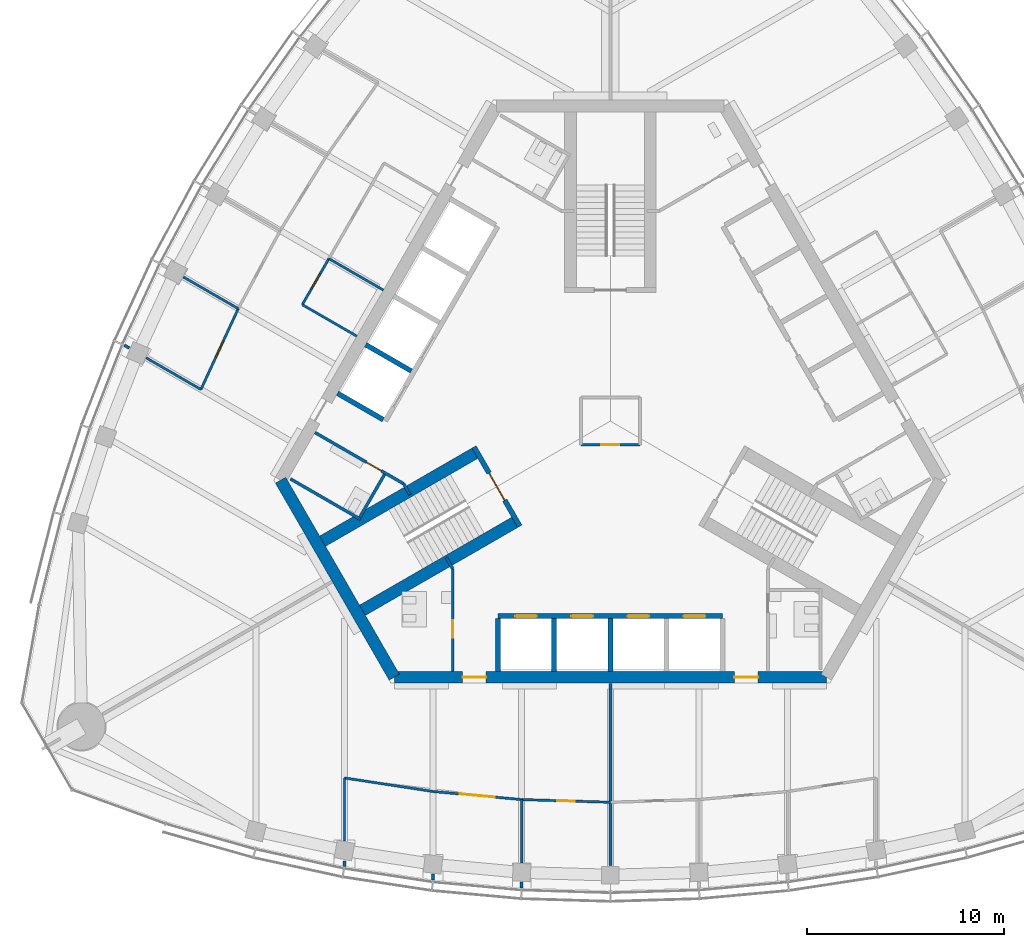
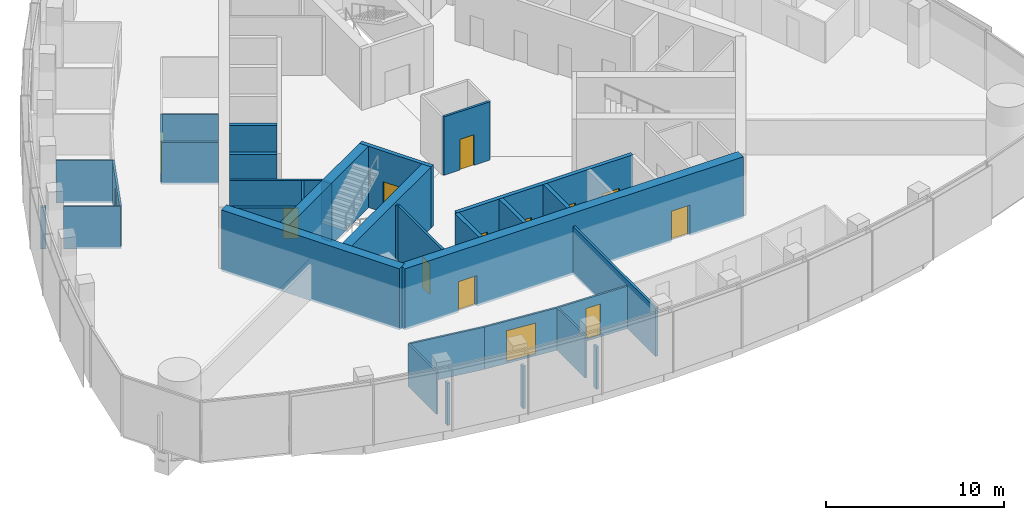
# One storey, part 8 of 16: 34 walls, 14 doors, 14 openings.
"""IFC4 building model written with IfcOpenShell, lengths in metres."""

from ifc_helpers import new_model, si_unit, direction, frame, frame_2d, origin, place, context, subcontext, project, spatial, rectangle, extrude, material, layer, layer_set, type_object, element, fill, save


model = new_model("IFC4")

# Units and contexts
model_context = context("Model", 3, precision=1e-05, world=origin(), true_north=direction((0.0, 1.0)))
body_context = subcontext(model_context, "Body", "Model", "MODEL_VIEW")
ifc_project = project(units=[si_unit("LENGTHUNIT", "METRE"), si_unit("AREAUNIT", "SQUARE_METRE"), si_unit("VOLUMEUNIT", "CUBIC_METRE"), si_unit("PLANEANGLEUNIT", "RADIAN"), si_unit("MASSUNIT", "GRAM", prefix="KILO")], contexts=[model_context])

# Site, building, storey
site_placement = place(None, origin())
site = spatial("IfcSite", under=ifc_project, at=site_placement, CompositionType="ELEMENT")
building_placement = place(site_placement, origin())
building = spatial("IfcBuilding", under=site, at=building_placement, Name="Trefoil Bronze Tower", CompositionType="ELEMENT")
storey_placement = place(building_placement, frame((0.0, 0.0, 305.699951171875)))
storey = spatial("IfcBuildingStorey", under=building, at=storey_placement, Name="L70", CompositionType="ELEMENT", Elevation=305.699951171875)

# Wall, openings, doors
ifc_material_1 = material(Name="Concrete B80", Category="concrete")
ifc_layer_1 = layer(ifc_material_1, 0.60009765625)
ifc_layer_set_1 = layer_set([ifc_layer_1], Name="Core wall 600")
wall_type_1 = type_object("IfcWallType", Name="Core wall 600", PredefinedType="SHEAR", material=ifc_layer_set_1)
wall_1_placement = place(storey_placement, frame((-10.9697265625, -13.0, 0.0), z_axis=(0.0, 0.0, 1.0), x_axis=(1.0, 0.0, 0.0)))
wall_1 = element("IfcWall", 1, at=wall_1_placement, inside=storey, type_object=wall_type_1, Name="Core long wall 1 L70", PredefinedType="SHEAR", context=body_context, shape_type="SweptSolid", body=[
    extrude(rectangle(XDim=21.939453125, YDim=0.60009765625, at=frame_2d((10.9697265625, 0.0))), origin(), (0.0, 0.0, 1.0), 4.199951171875),
])
opening_1_placement = place(wall_1_placement, frame((17.269775390625, 0.0, 0.0)))
opening_1 = element("IfcOpeningElement", 2, at=opening_1_placement, cuts=wall_1, Name="Opening D2", PredefinedType="OPENING", context=body_context, shape_type="SweptSolid", body=[
    extrude(rectangle(XDim=1.199951171875, YDim=2.10009765625, at=frame_2d((0.60009765625, 1.050048828125))), frame((0.0, 0.31005859375, 0.0), z_axis=(0.0, -1.0, 0.0), x_axis=(1.0, 0.0, 0.0)), (0.0, 0.0, 1.0), 0.6201171875),
])
opening_2_placement = place(wall_1_placement, frame((3.4697265625, 0.0, 0.0)))
opening_2 = element("IfcOpeningElement", 3, at=opening_2_placement, cuts=wall_1, Name="Opening D2", PredefinedType="OPENING", context=body_context, shape_type="SweptSolid", body=[
    extrude(rectangle(XDim=1.199951171875, YDim=2.10009765625, at=frame_2d((0.60009765625, 1.050048828125))), frame((0.0, 0.31005859375, 0.0), z_axis=(0.0, -1.0, 0.0), x_axis=(1.0, 0.0, 0.0)), (0.0, 0.0, 1.0), 0.6201171875),
])
ifc_material_2 = material(Name="Steel door", Category="steel")
door_type_1 = type_object("IfcDoorType", Name="Lobby door 1200", OperationType="SINGLE_SWING_RIGHT", PredefinedType="DOOR", material=ifc_material_2)
door_1_placement = place(opening_1_placement, origin())
door_1 = element("IfcDoor", 4, at=door_1_placement, inside=storey, type_object=door_type_1, Name="Lobby door F1+ L70", OperationType="SINGLE_SWING_RIGHT", OverallHeight=2.10009765625, OverallWidth=1.199951171875, PredefinedType="DOOR", context=body_context, shape_type="SweptSolid", body=[
    extrude(rectangle(XDim=1.199951171875, YDim=2.10009765625, at=frame_2d((0.60009765625, 1.050048828125))), frame((0.0, 0.02490234375, 0.0), z_axis=(0.0, -1.0, 0.0), x_axis=(1.0, 0.0, 0.0)), (0.0, 0.0, 1.0), 0.050048828125),
])
fill(opening_1, door_1)
door_2_placement = place(opening_2_placement, origin())
door_2 = element("IfcDoor", 5, at=door_2_placement, inside=storey, type_object=door_type_1, Name="Lobby door F1- L70", OperationType="SINGLE_SWING_LEFT", OverallHeight=2.10009765625, OverallWidth=1.199951171875, PredefinedType="DOOR", context=body_context, shape_type="SweptSolid", body=[
    extrude(rectangle(XDim=1.199951171875, YDim=2.10009765625, at=frame_2d((0.60009765625, 1.050048828125))), frame((0.0, 0.02490234375, 0.0), z_axis=(0.0, -1.0, 0.0), x_axis=(1.0, 0.0, 0.0)), (0.0, 0.0, 1.0), 0.050048828125),
])
fill(opening_2, door_2)

# Walls
wall_2_placement = place(storey_placement, frame((-16.7431640625, -3.0, 0.0), z_axis=(0.0, 0.0, 1.0), x_axis=(0.499995765644, -0.866027848477, 0.0)))
element("IfcWall", 6, at=wall_2_placement, inside=storey, type_object=wall_type_1, Name="Core short wall 3 L70", PredefinedType="SHEAR", context=body_context, shape_type="SweptSolid", body=[
    extrude(rectangle(XDim=11.546875, YDim=0.60009765625, at=frame_2d((5.7734375, 0.0))), origin(), (0.0, 0.0, 1.0), 4.199951171875),
])
ifc_material_3 = material(Name="Glazed partition", Category="glass")
ifc_layer_2 = layer(ifc_material_3, 0.1201171875)
ifc_layer_set_2 = layer_set([ifc_layer_2], Name="Glazed partition 120")
wall_type_2 = type_object("IfcWallType", Name="Glazed partition 120", PredefinedType="PARTITIONING", material=ifc_layer_set_2)
wall_3_placement = place(storey_placement, frame((-13.5, -18.1162109375, 0.0), z_axis=(0.0, 0.0, 1.0), x_axis=(0.988481794406, -0.151339823341, 0.0)))
element("IfcWall", 7, at=wall_3_placement, inside=storey, type_object=wall_type_2, Name="Partition F1 L70", PredefinedType="PARTITIONING", context=body_context, shape_type="SweptSolid", body=[
    extrude(rectangle(XDim=4.552490234375, YDim=0.1201171875, at=frame_2d((2.2763671875, 0.0))), origin(), (0.0, 0.0, 1.0), 2.900146484375),
])

# Wall, opening, door
wall_4_placement = place(storey_placement, frame((-4.5, -19.21533203125, 0.0), z_axis=(0.0, 0.0, 1.0), x_axis=(0.999542074227, -0.030259574513, 0.0)))
wall_4 = element("IfcWall", 8, at=wall_4_placement, inside=storey, type_object=wall_type_2, Name="Partition F1 L70", PredefinedType="PARTITIONING", context=body_context, shape_type="SweptSolid", body=[
    extrude(rectangle(XDim=4.501953125, YDim=0.1201171875, at=frame_2d((2.2509765625, 0.0))), origin(), (0.0, 0.0, 1.0), 2.900146484375),
])
opening_3_placement = place(wall_4_placement, frame((1.800048828125, 0.0, 0.14990234375)))
opening_3 = element("IfcOpeningElement", 9, at=opening_3_placement, cuts=wall_4, Name="Opening D8", PredefinedType="OPENING", context=body_context, shape_type="SweptSolid", body=[
    extrude(rectangle(XDim=0.89990234375, YDim=2.10009765625, at=frame_2d((0.449951171875, 1.050048828125))), frame((0.0, 0.070068359375, 0.0), z_axis=(0.0, -1.0, 0.0), x_axis=(1.0, 0.0, 0.0)), (0.0, 0.0, 1.0), 0.14013671875),
])
ifc_material_4 = material(Name="Timber door", Category="wood")
door_type_2 = type_object("IfcDoorType", Name="Office door 900", OperationType="SINGLE_SWING_LEFT", PredefinedType="DOOR", material=ifc_material_4)
door_3_placement = place(opening_3_placement, frame((0.89990234375, 0.0, 0.0), z_axis=(0.0, 0.0, 1.0), x_axis=(-1.0, 0.0, 0.0)))
door_3 = element("IfcDoor", 10, at=door_3_placement, inside=storey, type_object=door_type_2, Name="Office door F1 L70", OperationType="SINGLE_SWING_RIGHT", OverallHeight=2.10009765625, OverallWidth=0.89990234375, PredefinedType="DOOR", context=body_context, shape_type="SweptSolid", body=[
    extrude(rectangle(XDim=0.89990234375, YDim=2.10009765625, at=frame_2d((0.449951171875, 1.050048828125))), frame((0.0, 0.02490234375, 0.0), z_axis=(0.0, -1.0, 0.0), x_axis=(1.0, 0.0, 0.0)), (0.0, 0.0, 1.0), 0.050048828125),
])
fill(opening_3, door_3)

wall_5_placement = place(storey_placement, frame((-9.0, -18.80517578125, 0.0), z_axis=(0.0, 0.0, 1.0), x_axis=(0.995871921504, -0.090769576179, 0.0)))
wall_5 = element("IfcWall", 11, at=wall_5_placement, inside=storey, type_object=wall_type_2, Name="Partition F1 L70", PredefinedType="PARTITIONING", context=body_context, shape_type="SweptSolid", body=[
    extrude(rectangle(XDim=4.5185546875, YDim=0.1201171875, at=frame_2d((2.25927734375, 0.0))), origin(), (0.0, 0.0, 1.0), 2.900146484375),
])
opening_4_placement = place(wall_5_placement, frame((1.35009765625, 0.0, 0.14990234375)))
opening_4 = element("IfcOpeningElement", 12, at=opening_4_placement, cuts=wall_5, Name="Opening D10", PredefinedType="OPENING", context=body_context, shape_type="SweptSolid", body=[
    extrude(rectangle(XDim=1.800048828125, YDim=2.10009765625, at=frame_2d((0.89990234375, 1.050048828125))), frame((0.0, 0.070068359375, 0.0), z_axis=(0.0, -1.0, 0.0), x_axis=(1.0, 0.0, 0.0)), (0.0, 0.0, 1.0), 0.14013671875),
])
ifc_material_5 = material(Name="Timber door", Category="wood")
door_type_3 = type_object("IfcDoorType", Name="Double door 1800", OperationType="DOUBLE_DOOR_SINGLE_SWING", PredefinedType="DOOR", material=ifc_material_5)
door_4_placement = place(opening_4_placement, frame((1.800048828125, 0.0, 0.0), z_axis=(0.0, 0.0, 1.0), x_axis=(-1.0, 0.0, 0.0)))
door_4 = element("IfcDoor", 13, at=door_4_placement, inside=storey, type_object=door_type_3, Name="Kitchen and breakout door F1 L70", OperationType="DOUBLE_DOOR_SINGLE_SWING", OverallHeight=2.10009765625, OverallWidth=1.800048828125, PredefinedType="DOOR", context=body_context, shape_type="SweptSolid", body=[
    extrude(rectangle(XDim=1.800048828125, YDim=2.10009765625, at=frame_2d((0.89990234375, 1.050048828125))), frame((0.0, 0.02490234375, 0.0), z_axis=(0.0, -1.0, 0.0), x_axis=(1.0, 0.0, 0.0)), (0.0, 0.0, 1.0), 0.050048828125),
])
fill(opening_4, door_4)

# Walls
wall_6_placement = place(storey_placement, frame((-13.5, -18.1162109375, 0.0), z_axis=(0.0, 0.0, 1.0), x_axis=(0.0, -1.0, 0.0)))
element("IfcWall", 14, at=wall_6_placement, inside=storey, type_object=wall_type_2, Name="Partition F1 L70", PredefinedType="PARTITIONING", context=body_context, shape_type="SweptSolid", body=[
    extrude(rectangle(XDim=3.198486328125, YDim=0.1201171875, at=frame_2d((1.59912109375, 0.0))), origin(), (0.0, 0.0, 1.0), 2.900146484375),
])
wall_7_placement = place(storey_placement, frame((-4.5, -19.21533203125, 0.0), z_axis=(0.0, 0.0, 1.0), x_axis=(0.0, -1.0, 0.0)))
element("IfcWall", 15, at=wall_7_placement, inside=storey, type_object=wall_type_2, Name="Partition F1 L70", PredefinedType="PARTITIONING", context=body_context, shape_type="SweptSolid", body=[
    extrude(rectangle(XDim=3.2177734375, YDim=0.1201171875, at=frame_2d((1.60888671875, 0.0))), origin(), (0.0, 0.0, 1.0), 2.900146484375),
])

# Wall, opening, door
wall_8_placement = place(storey_placement, frame((-14.289306640625, 8.25, 0.0), z_axis=(0.0, 0.0, 1.0), x_axis=(-0.50000943426, -0.866019956843, 0.0)))
wall_8 = element("IfcWall", 16, at=wall_8_placement, inside=storey, type_object=wall_type_2, Name="Partition F3 L70", PredefinedType="PARTITIONING", context=body_context, shape_type="SweptSolid", body=[
    extrude(rectangle(XDim=2.7001953125, YDim=0.1201171875, at=frame_2d((1.35009765625, 0.0))), origin(), (0.0, 0.0, 1.0), 2.900146484375),
])
opening_5_placement = place(wall_8_placement, frame((0.89990234375, 0.0, 0.14990234375)))
opening_5 = element("IfcOpeningElement", 17, at=opening_5_placement, cuts=wall_8, Name="Opening D8", PredefinedType="OPENING", context=body_context, shape_type="SweptSolid", body=[
    extrude(rectangle(XDim=0.89990234375, YDim=2.10009765625, at=frame_2d((0.449951171875, 1.050048828125))), frame((0.0, 0.070068359375, 0.0), z_axis=(0.0, -1.0, 0.0), x_axis=(1.0, 0.0, 0.0)), (0.0, 0.0, 1.0), 0.14013671875),
])
door_5_placement = place(opening_5_placement, origin())
door_5 = element("IfcDoor", 18, at=door_5_placement, inside=storey, type_object=door_type_2, Name="Pantry door F3 L70", OperationType="SINGLE_SWING_RIGHT", OverallHeight=2.10009765625, OverallWidth=0.89990234375, PredefinedType="DOOR", context=body_context, shape_type="SweptSolid", body=[
    extrude(rectangle(XDim=0.89990234375, YDim=2.10009765625, at=frame_2d((0.449951171875, 1.050048828125))), frame((0.0, 0.02490234375, 0.0), z_axis=(0.0, -1.0, 0.0), x_axis=(1.0, 0.0, 0.0)), (0.0, 0.0, 1.0), 0.050048828125),
])
fill(opening_5, door_5)

# Walls
for number, where, z_axis, x_axis, name in (
    (19, (-12.8681640625, 4.311767578125, 0.0), (0.0, 0.0, 1.0), (-0.866042017984, 0.499971222258, 0.0), "Partition F3 L70"),
    (20, (-11.51806640625, 6.64990234375, 0.0), (0.0, 0.0, 1.0), (-0.866008981251, 0.500028443584, 0.0), "Partition F3 L70"),
):
    element("IfcWall", number, at=place(storey_placement, frame(where, z_axis=z_axis, x_axis=x_axis)), inside=storey, type_object=wall_type_2, Name=name, PredefinedType="PARTITIONING", context=body_context, shape_type="SweptSolid", body=[
        extrude(rectangle(XDim=3.199951171875, YDim=0.1201171875, at=frame_2d((1.60009765625, 0.0))), origin(), (0.0, 0.0, 1.0), 2.900146484375),
    ])

# Wall, opening, door
wall_9_placement = place(storey_placement, frame((-18.890869140625, 5.71044921875, 0.0), z_axis=(0.0, 0.0, 1.0), x_axis=(-0.419335693458, -0.907831248742, 0.0)))
wall_9 = element("IfcWall", 21, at=wall_9_placement, inside=storey, type_object=wall_type_2, Name="Partition F3 L70", PredefinedType="PARTITIONING", context=body_context, shape_type="SweptSolid", body=[
    extrude(rectangle(XDim=4.5185546875, YDim=0.1201171875, at=frame_2d((2.25927734375, 0.0))), origin(), (0.0, 0.0, 1.0), 2.900146484375),
])
opening_6_placement = place(wall_9_placement, frame((1.800048828125, 0.0, 0.14990234375)))
opening_6 = element("IfcOpeningElement", 22, at=opening_6_placement, cuts=wall_9, Name="Opening D8", PredefinedType="OPENING", context=body_context, shape_type="SweptSolid", body=[
    extrude(rectangle(XDim=0.89990234375, YDim=2.10009765625, at=frame_2d((0.449951171875, 1.050048828125))), frame((0.0, 0.070068359375, 0.0), z_axis=(0.0, -1.0, 0.0), x_axis=(1.0, 0.0, 0.0)), (0.0, 0.0, 1.0), 0.14013671875),
])
door_6_placement = place(opening_6_placement, frame((0.89990234375, 0.0, 0.0), z_axis=(0.0, 0.0, 1.0), x_axis=(-1.0, 0.0, 0.0)))
door_6 = element("IfcDoor", 23, at=door_6_placement, inside=storey, type_object=door_type_2, Name="Office door F3 L70", OperationType="SINGLE_SWING_RIGHT", OverallHeight=2.10009765625, OverallWidth=0.89990234375, PredefinedType="DOOR", context=body_context, shape_type="SweptSolid", body=[
    extrude(rectangle(XDim=0.89990234375, YDim=2.10009765625, at=frame_2d((0.449951171875, 1.050048828125))), frame((0.0, 0.02490234375, 0.0), z_axis=(0.0, -1.0, 0.0), x_axis=(1.0, 0.0, 0.0)), (0.0, 0.0, 1.0), 0.050048828125),
])
fill(opening_6, door_6)

# Walls
wall_10_placement = place(storey_placement, frame((-18.890869140625, 5.71044921875, 0.0), z_axis=(0.0, 0.0, 1.0), x_axis=(-0.866021328928, 0.500007057792, 0.0)))
element("IfcWall", 24, at=wall_10_placement, inside=storey, type_object=wall_type_2, Name="Partition F3 L70", PredefinedType="PARTITIONING", context=body_context, shape_type="SweptSolid", body=[
    extrude(rectangle(XDim=3.2177734375, YDim=0.1201171875, at=frame_2d((1.60888671875, 0.0))), origin(), (0.0, 0.0, 1.0), 2.900146484375),
])
wall_11_placement = place(storey_placement, frame((-20.78564453125, 1.6083984375, 0.0), z_axis=(0.0, 0.0, 1.0), x_axis=(-0.866039964284, 0.499974779627, 0.0)))
element("IfcWall", 25, at=wall_11_placement, inside=storey, type_object=wall_type_2, Name="Partition F3 L70", PredefinedType="PARTITIONING", context=body_context, shape_type="SweptSolid", body=[
    extrude(rectangle(XDim=3.210693359375, YDim=0.1201171875, at=frame_2d((1.60546875, 0.0))), origin(), (0.0, 0.0, 1.0), 2.900146484375),
])

# Wall, opening, door
ifc_material_6 = material(Name="Gypsum board on steel studs", Category="steel")
ifc_layer_3 = layer(ifc_material_6, 0.14990234375)
ifc_layer_set_3 = layer_set([ifc_layer_3], Name="Partition 150")
wall_type_3 = type_object("IfcWallType", Name="Partition 150", PredefinedType="PARTITIONING", material=ifc_layer_set_3)
wall_12_placement = place(storey_placement, frame((-8.0, -7.5, 0.0), z_axis=(0.0, 0.0, 1.0), x_axis=(0.0, -1.0, 0.0)))
wall_12 = element("IfcWall", 26, at=wall_12_placement, inside=storey, type_object=wall_type_3, Name="Passage wall F1- L70", PredefinedType="PARTITIONING", context=body_context, shape_type="SweptSolid", body=[
    extrude(rectangle(XDim=5.199951171875, YDim=0.14990234375, at=frame_2d((2.60009765625, 0.0))), origin(), (0.0, 0.0, 1.0), 4.0),
])
opening_7_placement = place(wall_12_placement, frame((2.60009765625, 0.0, 0.0)))
opening_7 = element("IfcOpeningElement", 27, at=opening_7_placement, cuts=wall_12, Name="Opening D3", PredefinedType="OPENING", context=body_context, shape_type="SweptSolid", body=[
    extrude(rectangle(XDim=0.89990234375, YDim=2.10009765625, at=frame_2d((0.449951171875, 1.050048828125))), frame((0.0, 0.0849609375, 0.0), z_axis=(0.0, -1.0, 0.0), x_axis=(1.0, 0.0, 0.0)), (0.0, 0.0, 1.0), 0.169921875),
])
ifc_material_7 = material(Name="Timber door", Category="wood")
door_type_4 = type_object("IfcDoorType", Name="WC door 900", OperationType="SINGLE_SWING_LEFT", PredefinedType="DOOR", material=ifc_material_7)
door_7_placement = place(opening_7_placement, frame((0.89990234375, 0.0, 0.0), z_axis=(0.0, 0.0, 1.0), x_axis=(-1.0, 0.0, 0.0)))
door_7 = element("IfcDoor", 28, at=door_7_placement, inside=storey, type_object=door_type_4, Name="WC (women) door L70", OperationType="SINGLE_SWING_LEFT", OverallHeight=2.10009765625, OverallWidth=0.89990234375, PredefinedType="DOOR", context=body_context, shape_type="SweptSolid", body=[
    extrude(rectangle(XDim=0.89990234375, YDim=2.10009765625, at=frame_2d((0.449951171875, 1.050048828125))), frame((0.0, 0.02490234375, 0.0), z_axis=(0.0, -1.0, 0.0), x_axis=(1.0, 0.0, 0.0)), (0.0, 0.0, 1.0), 0.050048828125),
])
fill(opening_7, door_7)

wall_13_placement = place(storey_placement, frame((-10.4951171875, -3.17822265625, 0.0), z_axis=(0.0, 0.0, 1.0), x_axis=(-0.866021400173, 0.500006934395, 0.0)))
wall_13 = element("IfcWall", 29, at=wall_13_placement, inside=storey, type_object=wall_type_3, Name="Passage wall F3+ L70", PredefinedType="PARTITIONING", context=body_context, shape_type="SweptSolid", body=[
    extrude(rectangle(XDim=5.2001953125, YDim=0.14990234375, at=frame_2d((2.60009765625, 0.0))), origin(), (0.0, 0.0, 1.0), 4.0),
])
opening_8_placement = place(wall_13_placement, frame((1.300048828125, 0.0, 0.0)))
opening_8 = element("IfcOpeningElement", 30, at=opening_8_placement, cuts=wall_13, Name="Opening D3", PredefinedType="OPENING", context=body_context, shape_type="SweptSolid", body=[
    extrude(rectangle(XDim=0.89990234375, YDim=2.10009765625, at=frame_2d((0.449951171875, 1.050048828125))), frame((0.0, 0.0849609375, 0.0), z_axis=(0.0, -1.0, 0.0), x_axis=(1.0, 0.0, 0.0)), (0.0, 0.0, 1.0), 0.169921875),
])
door_8_placement = place(opening_8_placement, origin())
door_8 = element("IfcDoor", 31, at=door_8_placement, inside=storey, type_object=door_type_4, Name="WC (men) door L70", OperationType="SINGLE_SWING_LEFT", OverallHeight=2.10009765625, OverallWidth=0.89990234375, PredefinedType="DOOR", context=body_context, shape_type="SweptSolid", body=[
    extrude(rectangle(XDim=0.89990234375, YDim=2.10009765625, at=frame_2d((0.449951171875, 1.050048828125))), frame((0.0, 0.02490234375, 0.0), z_axis=(0.0, -1.0, 0.0), x_axis=(1.0, 0.0, 0.0)), (0.0, 0.0, 1.0), 0.050048828125),
])
fill(opening_8, door_8)

# Walls
for number, where, z_axis, x_axis, name in (
    (32, (-10.4951171875, -3.17822265625, 0.0), (0.0, 0.0, 1.0), (0.499842556608, -0.866116284689, 0.0), "WC wall ST3-1 L70"),
    (33, (-8.0, -7.5, 0.0), (0.0, 0.0, 1.0), (-0.499842556608, 0.866116284689, 0.0), "WC wall ST3+1 L70"),
):
    element("IfcWall", number, at=place(storey_placement, frame(where, z_axis=z_axis, x_axis=x_axis)), inside=storey, type_object=wall_type_3, Name=name, PredefinedType="PARTITIONING", context=body_context, shape_type="SweptSolid", body=[
        extrude(rectangle(XDim=0.645263671875, YDim=0.14990234375, at=frame_2d((0.32275390625, 0.0))), origin(), (0.0, 0.0, 1.0), 4.0),
    ])
wall_14_placement = place(storey_placement, frame((-12.691162109375, -4.98193359375, 0.0), z_axis=(0.0, 0.0, 1.0), x_axis=(-0.8660249478, 0.500000789788, 0.0)))
element("IfcWall", 34, at=wall_14_placement, inside=storey, type_object=wall_type_3, Name="WC partition WC (men) L70", PredefinedType="PARTITIONING", context=body_context, shape_type="SweptSolid", body=[
    extrude(rectangle(XDim=4.10009765625, YDim=0.14990234375, at=frame_2d((2.050048828125, 0.0))), origin(), (0.0, 0.0, 1.0), 4.0),
])
wall_15_placement = place(storey_placement, frame((-11.463623046875, -2.70556640625, 0.0), z_axis=(0.0, 0.0, 1.0), x_axis=(-0.50001992892, -0.866013897511, 0.0)))
element("IfcWall", 35, at=wall_15_placement, inside=storey, type_object=wall_type_3, Name="WC partition WC (men) L70", PredefinedType="PARTITIONING", context=body_context, shape_type="SweptSolid", body=[
    extrude(rectangle(XDim=2.51025390625, YDim=0.14990234375, at=frame_2d((1.255126953125, 0.0))), origin(), (0.0, 0.0, 1.0), 4.0),
])
wall_16_placement = place(storey_placement, frame((-13.5, -22.3310546875, 0.0), z_axis=(0.0, 0.0, 1.0), x_axis=(0.0, -1.0, 0.0)))
element("IfcWall", 36, at=wall_16_placement, inside=storey, type_object=wall_type_3, Name="Partition F1 L70", PredefinedType="PARTITIONING", context=body_context, shape_type="SweptSolid", body=[
    extrude(rectangle(XDim=0.2802734375, YDim=0.14990234375, at=frame_2d((0.14013671875, 0.0))), origin(), (0.0, 0.0, 1.0), 2.900146484375),
])
wall_17_placement = place(storey_placement, frame((-4.5, -23.394287109375, 0.0), z_axis=(0.0, 0.0, 1.0), x_axis=(0.0, -1.0, 0.0)))
element("IfcWall", 37, at=wall_17_placement, inside=storey, type_object=wall_type_3, Name="Partition F1 L70", PredefinedType="PARTITIONING", context=body_context, shape_type="SweptSolid", body=[
    extrude(rectangle(XDim=0.316162109375, YDim=0.14990234375, at=frame_2d((0.158203125, 0.0))), origin(), (0.0, 0.0, 1.0), 2.900146484375),
])
for number, where, z_axis, x_axis, name in (
    (38, (-9.0, -23.00439453125, 0.0), (0.0, 0.0, 1.0), (0.0, -1.0, 0.0), "Partition F1 L70"),
    (39, (-24.42236328125, 3.7080078125, 0.0), (0.0, 0.0, 1.0), (-0.866254317358, 0.499603300288, 0.0), "Partition F3 L70"),
):
    element("IfcWall", number, at=place(storey_placement, frame(where, z_axis=z_axis, x_axis=x_axis)), inside=storey, type_object=wall_type_3, Name=name, PredefinedType="PARTITIONING", context=body_context, shape_type="SweptSolid", body=[
        extrude(rectangle(XDim=0.295654296875, YDim=0.14990234375, at=frame_2d((0.14794921875, 0.0))), origin(), (0.0, 0.0, 1.0), 2.900146484375),
    ])
ifc_material_8 = material(Name="Gypsum board on steel studs", Category="steel")
ifc_layer_4 = layer(ifc_material_8, 0.14990234375)
ifc_layer_set_4 = layer_set([ifc_layer_4], Name="Party wall 150")
wall_type_4 = type_object("IfcWallType", Name="Party wall 150", PredefinedType="PARTITIONING", material=ifc_layer_set_4)
wall_18_placement = place(storey_placement, frame((0.0, -13.31005859375, 0.0), z_axis=(0.0, 0.0, 1.0), x_axis=(0.0, -1.0, 0.0)))
element("IfcWall", 40, at=wall_18_placement, inside=storey, type_object=wall_type_4, Name="Demising wall F1 L70", PredefinedType="PARTITIONING", context=body_context, shape_type="SweptSolid", body=[
    extrude(rectangle(XDim=9.261474609375, YDim=0.14990234375, at=frame_2d((4.630859375, 0.0))), origin(), (0.0, 0.0, 1.0), 3.300048828125),
])

# Wall, opening, door
ifc_material_9 = material(Name="Gypsum board on steel studs", Category="steel")
ifc_layer_5 = layer(ifc_material_9, 0.14990234375)
ifc_layer_set_5 = layer_set([ifc_layer_5], Name="Riser wall 150")
wall_type_5 = type_object("IfcWallType", Name="Riser wall 150", PredefinedType="PARTITIONING", material=ifc_layer_set_5)
wall_19_placement = place(storey_placement, frame((-1.5, -1.199951171875, 0.0), z_axis=(0.0, 0.0, 1.0), x_axis=(1.0, 0.0, 0.0)))
wall_19 = element("IfcWall", 41, at=wall_19_placement, inside=storey, type_object=wall_type_5, Name="Riser wall L70", PredefinedType="PARTITIONING", context=body_context, shape_type="SweptSolid", body=[
    extrude(rectangle(XDim=3.0, YDim=0.14990234375, at=frame_2d((1.5, 0.0))), origin(), (0.0, 0.0, 1.0), 4.0),
])
opening_9_placement = place(wall_19_placement, frame((1.050048828125, 0.0, 0.0)))
opening_9 = element("IfcOpeningElement", 42, at=opening_9_placement, cuts=wall_19, Name="Opening D4", PredefinedType="OPENING", context=body_context, shape_type="SweptSolid", body=[
    extrude(rectangle(XDim=0.89990234375, YDim=2.10009765625, at=frame_2d((0.449951171875, 1.050048828125))), frame((0.0, 0.0849609375, 0.0), z_axis=(0.0, -1.0, 0.0), x_axis=(1.0, 0.0, 0.0)), (0.0, 0.0, 1.0), 0.169921875),
])
ifc_material_10 = material(Name="Steel door", Category="steel")
door_type_5 = type_object("IfcDoorType", Name="Riser door 900", OperationType="SINGLE_SWING_LEFT", PredefinedType="DOOR", material=ifc_material_10)
door_9_placement = place(opening_9_placement, frame((0.89990234375, 0.0, 0.0), z_axis=(0.0, 0.0, 1.0), x_axis=(-1.0, 0.0, 0.0)))
door_9 = element("IfcDoor", 43, at=door_9_placement, inside=storey, type_object=door_type_5, Name="Riser door L70", OperationType="SINGLE_SWING_LEFT", OverallHeight=2.10009765625, OverallWidth=0.89990234375, PredefinedType="DOOR", context=body_context, shape_type="SweptSolid", body=[
    extrude(rectangle(XDim=0.89990234375, YDim=2.10009765625, at=frame_2d((0.449951171875, 1.050048828125))), frame((0.0, 0.02490234375, 0.0), z_axis=(0.0, -1.0, 0.0), x_axis=(1.0, 0.0, 0.0)), (0.0, 0.0, 1.0), 0.050048828125),
])
fill(opening_9, door_9)

# Wall, openings, doors
ifc_material_11 = material(Name="Concrete B80", Category="concrete")
ifc_layer_6 = layer(ifc_material_11, 0.25)
ifc_layer_set_6 = layer_set([ifc_layer_6], Name="Shaft wall 250")
wall_type_6 = type_object("IfcWallType", Name="Shaft wall 250", PredefinedType="SHEAR", material=ifc_layer_set_6)
wall_20_placement = place(storey_placement, frame((-5.699951171875, -9.89990234375, 0.0), z_axis=(0.0, 0.0, 1.0), x_axis=(1.0, 0.0, 0.0)))
wall_20 = element("IfcWall", 44, at=wall_20_placement, inside=storey, type_object=wall_type_6, Name="Lift shaft front wall A L70", PredefinedType="SHEAR", context=body_context, shape_type="SweptSolid", body=[
    extrude(rectangle(XDim=11.39990234375, YDim=0.25, at=frame_2d((5.699951171875, 0.0))), origin(), (0.0, 0.0, 1.0), 4.199951171875),
])
opening_10_placement = place(wall_20_placement, frame((0.875, 0.0, 0.0)))
opening_10 = element("IfcOpeningElement", 45, at=opening_10_placement, cuts=wall_20, Name="Opening LD-P41", PredefinedType="OPENING", context=body_context, shape_type="SweptSolid", body=[
    extrude(rectangle(XDim=1.10009765625, YDim=2.199951171875, at=frame_2d((0.550048828125, 1.10009765625))), frame((0.0, 0.135009765625, 0.0), z_axis=(0.0, -1.0, 0.0), x_axis=(1.0, 0.0, 0.0)), (0.0, 0.0, 1.0), 0.27001953125),
])
opening_11_placement = place(wall_20_placement, frame((3.72509765625, 0.0, 0.0)))
opening_11 = element("IfcOpeningElement", 46, at=opening_11_placement, cuts=wall_20, Name="Opening LD-P42", PredefinedType="OPENING", context=body_context, shape_type="SweptSolid", body=[
    extrude(rectangle(XDim=1.10009765625, YDim=2.199951171875, at=frame_2d((0.550048828125, 1.10009765625))), frame((0.0, 0.135009765625, 0.0), z_axis=(0.0, -1.0, 0.0), x_axis=(1.0, 0.0, 0.0)), (0.0, 0.0, 1.0), 0.27001953125),
])
opening_12_placement = place(wall_20_placement, frame((6.574951171875, 0.0, 0.0)))
opening_12 = element("IfcOpeningElement", 47, at=opening_12_placement, cuts=wall_20, Name="Opening LD-P43", PredefinedType="OPENING", context=body_context, shape_type="SweptSolid", body=[
    extrude(rectangle(XDim=1.10009765625, YDim=2.199951171875, at=frame_2d((0.550048828125, 1.10009765625))), frame((0.0, 0.135009765625, 0.0), z_axis=(0.0, -1.0, 0.0), x_axis=(1.0, 0.0, 0.0)), (0.0, 0.0, 1.0), 0.27001953125),
])
opening_13_placement = place(wall_20_placement, frame((9.425048828125, 0.0, 0.0)))
opening_13 = element("IfcOpeningElement", 48, at=opening_13_placement, cuts=wall_20, Name="Opening LD-P44", PredefinedType="OPENING", context=body_context, shape_type="SweptSolid", body=[
    extrude(rectangle(XDim=1.10009765625, YDim=2.199951171875, at=frame_2d((0.550048828125, 1.10009765625))), frame((0.0, 0.135009765625, 0.0), z_axis=(0.0, -1.0, 0.0), x_axis=(1.0, 0.0, 0.0)), (0.0, 0.0, 1.0), 0.27001953125),
])
ifc_material_12 = material(Name="Steel door", Category="steel")
door_type_6 = type_object("IfcDoorType", Name="Lift landing door 1100", OperationType="DOUBLE_DOOR_SLIDING", PredefinedType="DOOR", material=ifc_material_12)
door_10_placement = place(opening_10_placement, origin())
door_10 = element("IfcDoor", 49, at=door_10_placement, inside=storey, type_object=door_type_6, Name="Lift P41 landing door L70", OperationType="DOUBLE_DOOR_SLIDING", OverallHeight=2.199951171875, OverallWidth=1.10009765625, PredefinedType="DOOR", context=body_context, shape_type="SweptSolid", body=[
    extrude(rectangle(XDim=1.10009765625, YDim=2.199951171875, at=frame_2d((0.550048828125, 1.10009765625))), frame((0.0, 0.02490234375, 0.0), z_axis=(0.0, -1.0, 0.0), x_axis=(1.0, 0.0, 0.0)), (0.0, 0.0, 1.0), 0.050048828125),
])
fill(opening_10, door_10)
door_11_placement = place(opening_11_placement, origin())
door_11 = element("IfcDoor", 50, at=door_11_placement, inside=storey, type_object=door_type_6, Name="Lift P42 landing door L70", OperationType="DOUBLE_DOOR_SLIDING", OverallHeight=2.199951171875, OverallWidth=1.10009765625, PredefinedType="DOOR", context=body_context, shape_type="SweptSolid", body=[
    extrude(rectangle(XDim=1.10009765625, YDim=2.199951171875, at=frame_2d((0.550048828125, 1.10009765625))), frame((0.0, 0.02490234375, 0.0), z_axis=(0.0, -1.0, 0.0), x_axis=(1.0, 0.0, 0.0)), (0.0, 0.0, 1.0), 0.050048828125),
])
fill(opening_11, door_11)
door_12_placement = place(opening_12_placement, origin())
door_12 = element("IfcDoor", 51, at=door_12_placement, inside=storey, type_object=door_type_6, Name="Lift P43 landing door L70", OperationType="DOUBLE_DOOR_SLIDING", OverallHeight=2.199951171875, OverallWidth=1.10009765625, PredefinedType="DOOR", context=body_context, shape_type="SweptSolid", body=[
    extrude(rectangle(XDim=1.10009765625, YDim=2.199951171875, at=frame_2d((0.550048828125, 1.10009765625))), frame((0.0, 0.02490234375, 0.0), z_axis=(0.0, -1.0, 0.0), x_axis=(1.0, 0.0, 0.0)), (0.0, 0.0, 1.0), 0.050048828125),
])
fill(opening_12, door_12)
door_13_placement = place(opening_13_placement, origin())
door_13 = element("IfcDoor", 52, at=door_13_placement, inside=storey, type_object=door_type_6, Name="Lift P44 landing door L70", OperationType="DOUBLE_DOOR_SLIDING", OverallHeight=2.199951171875, OverallWidth=1.10009765625, PredefinedType="DOOR", context=body_context, shape_type="SweptSolid", body=[
    extrude(rectangle(XDim=1.10009765625, YDim=2.199951171875, at=frame_2d((0.550048828125, 1.10009765625))), frame((0.0, 0.02490234375, 0.0), z_axis=(0.0, -1.0, 0.0), x_axis=(1.0, 0.0, 0.0)), (0.0, 0.0, 1.0), 0.050048828125),
])
fill(opening_13, door_13)

# Walls
for number, where, z_axis, x_axis, name in (
    (53, (-5.699951171875, -10.02490234375, 0.0), (0.0, 0.0, 1.0), (0.0, -1.0, 0.0), "Lift shaft side wall A0 L70"),
    (54, (-2.85009765625, -10.02490234375, 0.0), (0.0, 0.0, 1.0), (0.0, -1.0, 0.0), "Lift shaft side wall A1 L70"),
    (55, (0.0, -10.02490234375, 0.0), (0.0, 0.0, 1.0), (0.0, -1.0, 0.0), "Lift shaft side wall A2 L70"),
    (56, (-10.10693359375, 2.54443359375, 0.0), (0.0, 0.0, 1.0), (-0.86604424267, 0.499967368674, 0.0), "Lift shaft side wall C3 L70"),
    (57, (-11.531982421875, 0.076171875, 0.0), (0.0, 0.0, 1.0), (-0.86604424267, 0.499967368674, 0.0), "Lift shaft side wall C4 L70"),
):
    element("IfcWall", number, at=place(storey_placement, frame(where, z_axis=z_axis, x_axis=x_axis)), inside=storey, type_object=wall_type_6, Name=name, PredefinedType="SHEAR", context=body_context, shape_type="SweptSolid", body=[
        extrude(rectangle(XDim=2.675048828125, YDim=0.25, at=frame_2d((1.33740234375, 0.0))), origin(), (0.0, 0.0, 1.0), 4.199951171875),
    ])

# Wall, opening, door
wall_21_placement = place(storey_placement, frame((-6.921630859375, -1.3115234375, 0.0), z_axis=(0.0, 0.0, 1.0), x_axis=(0.499984536904, -0.866034331223, 0.0)))
wall_21 = element("IfcWall", 58, at=wall_21_placement, inside=storey, type_object=wall_type_6, Name="Stair end wall ST3 L70", PredefinedType="SHEAR", context=body_context, shape_type="SweptSolid", body=[
    extrude(rectangle(XDim=4.650146484375, YDim=0.25, at=frame_2d((2.3251953125, 0.0))), origin(), (0.0, 0.0, 1.0), 4.199951171875),
])
opening_14_placement = place(wall_21_placement, frame((1.52490234375, 0.0, 0.0)))
opening_14 = element("IfcOpeningElement", 59, at=opening_14_placement, cuts=wall_21, Name="Opening D1", PredefinedType="OPENING", context=body_context, shape_type="SweptSolid", body=[
    extrude(rectangle(XDim=1.60009765625, YDim=2.10009765625, at=frame_2d((0.800048828125, 1.050048828125))), frame((0.0, 0.135009765625, 0.0), z_axis=(0.0, -1.0, 0.0), x_axis=(1.0, 0.0, 0.0)), (0.0, 0.0, 1.0), 0.27001953125),
])
ifc_material_13 = material(Name="Steel door", Category="steel")
door_type_7 = type_object("IfcDoorType", Name="Stair door 1600", OperationType="DOUBLE_DOOR_SINGLE_SWING", PredefinedType="DOOR", material=ifc_material_13)
door_14_placement = place(opening_14_placement, frame((1.60009765625, 0.0, 0.0), z_axis=(0.0, 0.0, 1.0), x_axis=(-1.0, 0.0, 0.0)))
door_14 = element("IfcDoor", 60, at=door_14_placement, inside=storey, type_object=door_type_7, Name="Stair door ST3 L70", OperationType="DOUBLE_DOOR_SINGLE_SWING", OverallHeight=2.10009765625, OverallWidth=1.60009765625, PredefinedType="DOOR", context=body_context, shape_type="SweptSolid", body=[
    extrude(rectangle(XDim=1.60009765625, YDim=2.10009765625, at=frame_2d((0.800048828125, 1.050048828125))), frame((0.0, 0.02490234375, 0.0), z_axis=(0.0, -1.0, 0.0), x_axis=(1.0, 0.0, 0.0)), (0.0, 0.0, 1.0), 0.050048828125),
])
fill(opening_14, door_14)

# Walls
ifc_material_14 = material(Name="Concrete B80", Category="concrete")
ifc_layer_7 = layer(ifc_material_14, 0.60009765625)
ifc_layer_set_7 = layer_set([ifc_layer_7], Name="Stair wall 600")
wall_type_7 = type_object("IfcWallType", Name="Stair wall 600", PredefinedType="SHEAR", material=ifc_layer_set_7)
wall_22_placement = place(storey_placement, frame((-6.663330078125, -1.5087890625, 0.0), z_axis=(0.0, 0.0, 1.0), x_axis=(-0.86603049496, -0.499991181721, 0.0)))
element("IfcWall", 61, at=wall_22_placement, inside=storey, type_object=wall_type_7, Name="Stair wall ST3 L70", PredefinedType="SHEAR", context=body_context, shape_type="SweptSolid", body=[
    extrude(rectangle(XDim=9.175048828125, YDim=0.60009765625, at=frame_2d((4.58740234375, 0.0))), origin(), (0.0, 0.0, 1.0), 4.199951171875),
])
wall_23_placement = place(storey_placement, frame((-4.638427734375, -5.01611328125, 0.0), z_axis=(0.0, 0.0, 1.0), x_axis=(-0.866012320003, -0.50002266109, 0.0)))
element("IfcWall", 62, at=wall_23_placement, inside=storey, type_object=wall_type_7, Name="Stair wall ST3 L70", PredefinedType="SHEAR", context=body_context, shape_type="SweptSolid", body=[
    extrude(rectangle(XDim=9.1748046875, YDim=0.60009765625, at=frame_2d((4.58740234375, 0.0))), origin(), (0.0, 0.0, 1.0), 4.199951171875),
])

save(model, "model.ifc")
